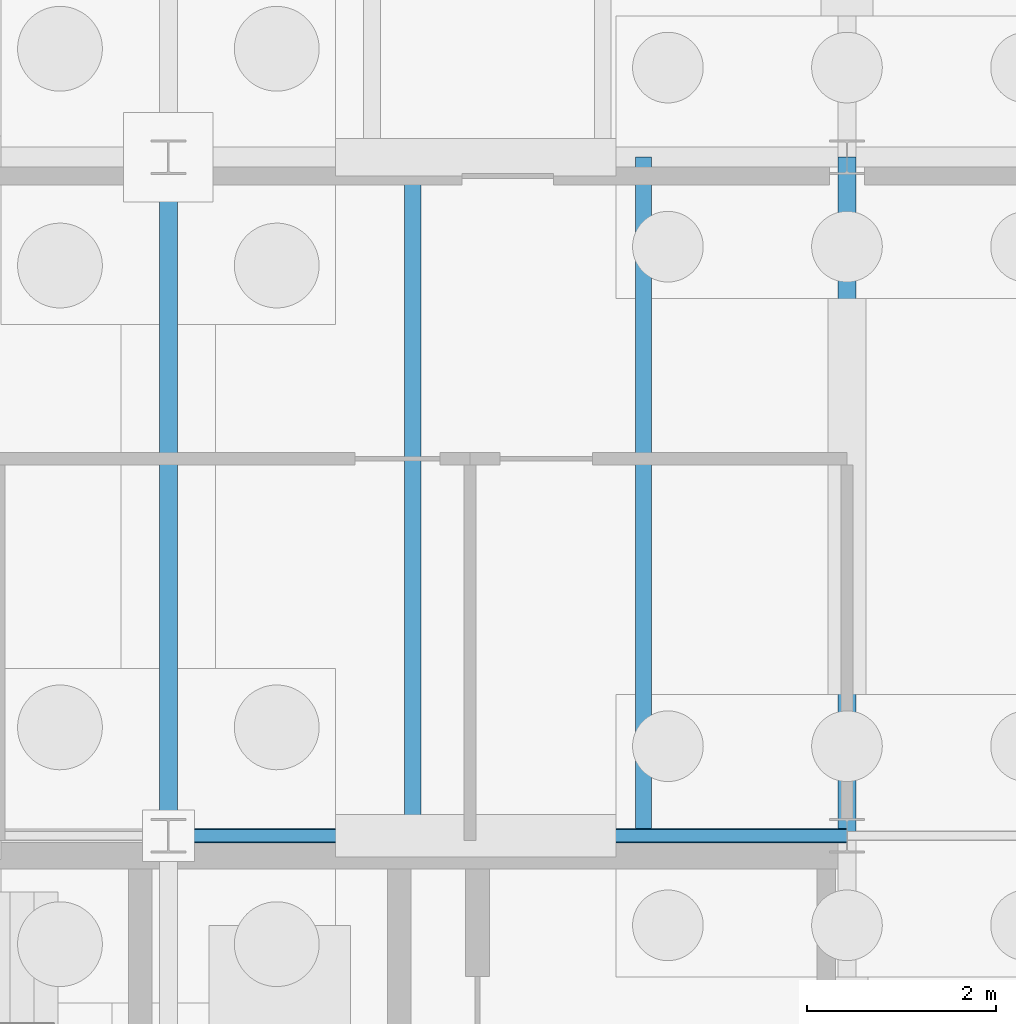
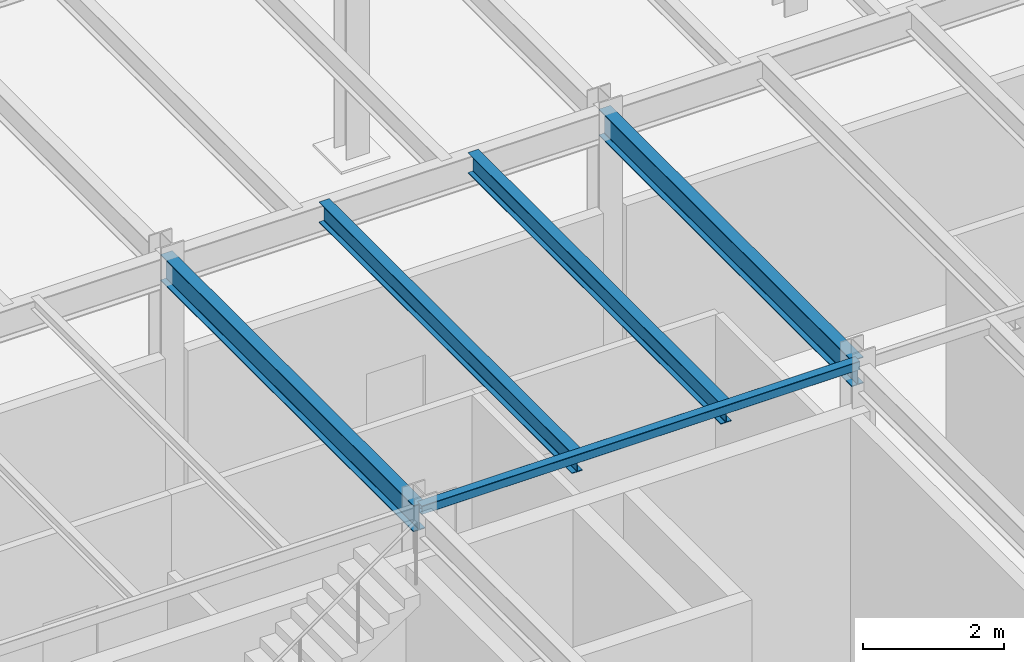
# One storey, part 62 of 293: 5 beams.
"""IFC4 building model written with IfcOpenShell, lengths in metres."""

from ifc_helpers import new_model, si_unit, direction, frame, origin, origin_2d, place, context, subcontext, project, spatial, hollow_rectangle, i_section, extrude, material, material_profile, profile_set, type_object, element, save


model = new_model("IFC4")

# Units and contexts
model_context = context("Model", 3, precision=1e-05, world=origin(), true_north=direction((0.0, 1.0)))
body_context = subcontext(model_context, "Body", "Model", "MODEL_VIEW")
ifc_project = project(units=[si_unit("LENGTHUNIT", "METRE"), si_unit("AREAUNIT", "SQUARE_METRE"), si_unit("VOLUMEUNIT", "CUBIC_METRE"), si_unit("PLANEANGLEUNIT", "RADIAN"), si_unit("MASSUNIT", "GRAM", prefix="KILO")], contexts=[model_context])

# Site, building, storey
site_placement = place(None, origin())
site = spatial("IfcSite", under=ifc_project, at=site_placement, CompositionType="ELEMENT")
building_placement = place(site_placement, origin())
building = spatial("IfcBuilding", under=site, at=building_placement, Name="Kemerveld Promenade Tramway Depot", CompositionType="ELEMENT")
storey_placement = place(building_placement, origin())
storey = spatial("IfcBuildingStorey", under=building, at=storey_placement, Name="L00", CompositionType="ELEMENT", Elevation=0.0)

# Beams
ifc_material = material(Name="Steel S355", Category="steel")
ifc_material_profile_1 = material_profile(ifc_material, i_section(OverallWidth=0.19140625, OverallDepth=0.4599609375, WebThickness=0.010009765625, FlangeThickness=0.01611328125, FilletRadius=0.01025390625, at=origin_2d()), Name="457x191x82 UB")
ifc_profile_set_1 = profile_set([ifc_material_profile_1], Name="Steel S355")
beam_type_1 = type_object("IfcBeamType", Name="BM-G06", PredefinedType="BEAM", material=ifc_profile_set_1)
for number, where, z_axis, x_axis, name in (
    (1, (7.199951171875, 50.39990234375, 4.919921875), (0.0, 1.0, 0.0), (-1.0, 0.0, 0.0), "BMY-L00-02-H-J"),
    (2, (14.39990234375, 50.39990234375, 4.919921875), (0.0, 1.0, 0.0), (-1.0, 0.0, 0.0), "BMY-L00-03-H-J"),
):
    element("IfcBeam", number, at=place(storey_placement, frame(where, z_axis=z_axis, x_axis=x_axis)), inside=storey, type_object=beam_type_1, Name=name, PredefinedType="BEAM", context=body_context, shape_type="SweptSolid", body=[
        extrude(i_section(OverallWidth=0.19140625, OverallDepth=0.4599609375, WebThickness=0.010009765625, FlangeThickness=0.01611328125, FilletRadius=0.01025390625, at=origin_2d()), origin(), (0.0, 0.0, 1.0), 7.2001953125),
    ])
ifc_material_profile_2 = material_profile(ifc_material, i_section(OverallWidth=0.172119140625, OverallDepth=0.35791015625, WebThickness=0.008056640625, FlangeThickness=0.012939453125, FilletRadius=0.01025390625, at=origin_2d()), Name="356x171x57 UB")
ifc_profile_set_2 = profile_set([ifc_material_profile_2], Name="Steel S355")
beam_type_2 = type_object("IfcBeamType", Name="BM-J04", PredefinedType="JOIST", material=ifc_profile_set_2)
for number, where, z_axis, x_axis, name in (
    (3, (9.7919921875, 50.39990234375, 4.970947265625), (0.0, 1.0, 0.0), (-1.0, 0.0, 0.0), "JST-L00-02-H-1"),
    (4, (12.239990234375, 50.39990234375, 4.970947265625), (0.0, 1.0, 0.0), (-1.0, 0.0, 0.0), "JST-L00-02-H-2"),
):
    element("IfcBeam", number, at=place(storey_placement, frame(where, z_axis=z_axis, x_axis=x_axis)), inside=storey, type_object=beam_type_2, Name=name, PredefinedType="JOIST", context=body_context, shape_type="SweptSolid", body=[
        extrude(i_section(OverallWidth=0.172119140625, OverallDepth=0.35791015625, WebThickness=0.008056640625, FlangeThickness=0.012939453125, FilletRadius=0.01025390625, at=origin_2d()), origin(), (0.0, 0.0, 1.0), 7.2001953125),
    ])
ifc_material_profile_3 = material_profile(ifc_material, hollow_rectangle(XDim=0.14990234375, YDim=0.14990234375, WallThickness=0.008056640625, InnerFilletRadius=0.00390625, OuterFilletRadius=0.011962890625, at=origin_2d()), Name="150x150x8.0 SHS")
ifc_profile_set_3 = profile_set([ifc_material_profile_3], Name="Steel S355")
beam_type_3 = type_object("IfcBeamType", Name="BM-SP4", PredefinedType="SPANDREL", material=ifc_profile_set_3)
beam_placement = place(storey_placement, frame((7.199951171875, 50.39990234375, 5.074951171875), z_axis=(1.0, 0.0, 0.0), x_axis=(0.0, 1.0, 0.0)))
element("IfcBeam", 5, at=beam_placement, inside=storey, type_object=beam_type_3, Name="BMX-L00-02-03-H", PredefinedType="SPANDREL", context=body_context, shape_type="SweptSolid", body=[
    extrude(hollow_rectangle(XDim=0.14990234375, YDim=0.14990234375, WallThickness=0.008056640625, InnerFilletRadius=0.00390625, OuterFilletRadius=0.011962890625, at=origin_2d()), origin(), (0.0, 0.0, 1.0), 7.199951171875),
])

save(model, "model.ifc")
